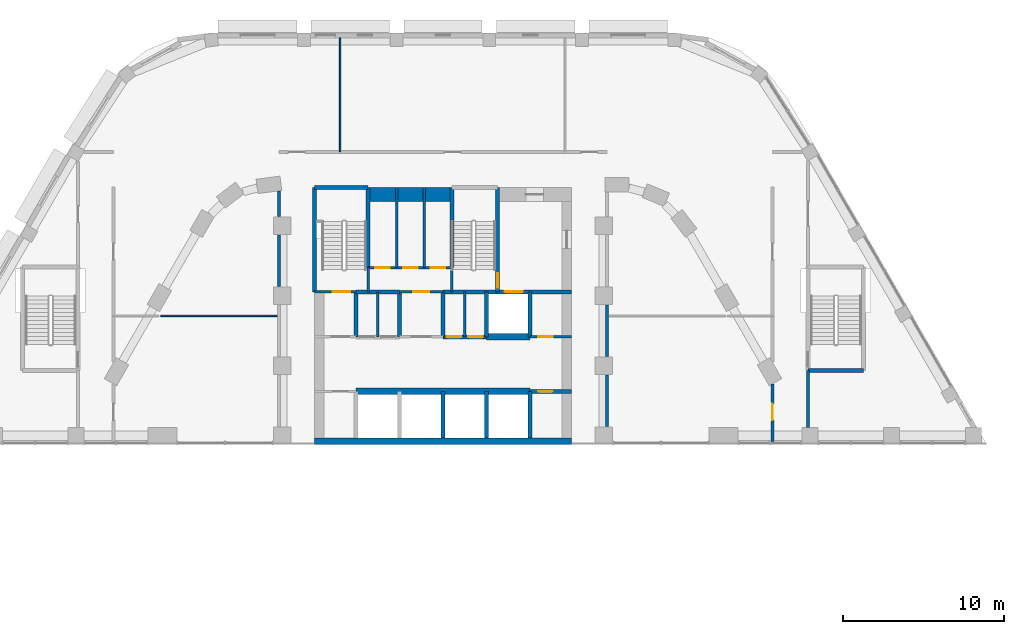
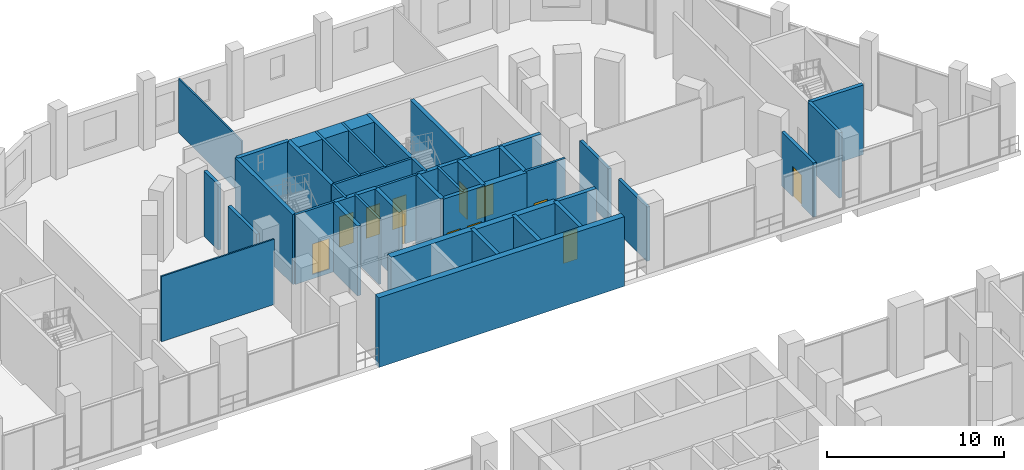
# One storey, part 19 of 45: 40 walls, 12 doors, 12 openings.
"""IFC4 building model written with IfcOpenShell, lengths in metres."""

from ifc_helpers import new_model, si_unit, direction, frame, frame_2d, origin, place, context, subcontext, project, spatial, rectangle, extrude, material, layer, layer_set, type_object, element, fill, save


model = new_model("IFC4")

# Units and contexts
model_context = context("Model", 3, precision=1e-05, world=origin(), true_north=direction((0.0, 1.0)))
body_context = subcontext(model_context, "Body", "Model", "MODEL_VIEW")
ifc_project = project(units=[si_unit("LENGTHUNIT", "METRE"), si_unit("AREAUNIT", "SQUARE_METRE"), si_unit("VOLUMEUNIT", "CUBIC_METRE"), si_unit("PLANEANGLEUNIT", "RADIAN"), si_unit("MASSUNIT", "GRAM", prefix="KILO")], contexts=[model_context])

# Site, building, storey
site_placement = place(None, origin())
site = spatial("IfcSite", under=ifc_project, at=site_placement, CompositionType="ELEMENT")
building_placement = place(site_placement, origin())
building = spatial("IfcBuilding", under=site, at=building_placement, Name="Nakaniwa Court", CompositionType="ELEMENT")
storey_placement = place(building_placement, frame((0.0, 0.0, 6.60009765625)))
storey = spatial("IfcBuildingStorey", under=building, at=storey_placement, Name="L01", CompositionType="ELEMENT", Elevation=6.60009765625)

# Wall
ifc_material_1 = material(Name="Acoustic double stud partition")
ifc_layer_1 = layer(ifc_material_1, 0.199951171875)
ifc_layer_set_1 = layer_set([ifc_layer_1], Name="Acoustic double stud partition")
wall_type_1 = type_object("IfcWallType", Name="Acoustic double stud partition 200", PredefinedType="PARTITIONING", material=ifc_layer_set_1)
wall_1_placement = place(storey_placement, frame((102.699951171875, 88.467041015625, 0.0), z_axis=(0.0, 0.0, 1.0), x_axis=(0.0, 1.0, 0.0)))
element("IfcWall", 1, at=wall_1_placement, inside=storey, type_object=wall_type_1, Name="Partition PW-085", PredefinedType="PARTITIONING", context=body_context, shape_type="SweptSolid", body=[
    extrude(rectangle(XDim=3.535888671875, YDim=0.199951171875, at=frame_2d((1.76806640625, 0.0))), origin(), (0.0, 0.0, 1.0), 4.5),
])

# Wall, opening, door
wall_2_placement = place(storey_placement, frame((100.5, 87.580078125, 0.0), z_axis=(0.0, 0.0, 1.0), x_axis=(0.0, 1.0, 0.0)))
wall_2 = element("IfcWall", 2, at=wall_2_placement, inside=storey, type_object=wall_type_1, Name="Partition PW-089", PredefinedType="PARTITIONING", context=body_context, shape_type="SweptSolid", body=[
    extrude(rectangle(XDim=3.569091796875, YDim=0.199951171875, at=frame_2d((1.78466796875, 0.0))), origin(), (0.0, 0.0, 1.0), 3.72998046875),
])
opening_1_placement = place(wall_2_placement, frame((1.343017578125, 0.0, 0.0)))
opening_1 = element("IfcOpeningElement", 3, at=opening_1_placement, cuts=wall_2, Name="Opening D-02-02", PredefinedType="OPENING", context=body_context, shape_type="SweptSolid", body=[
    extrude(rectangle(XDim=1.0, YDim=2.10009765625, at=frame_2d((0.5, 1.050048828125))), frame((0.0, 0.10986328125, 0.0), z_axis=(0.0, -1.0, 0.0), x_axis=(1.0, 0.0, 0.0)), (0.0, 0.0, 1.0), 0.219970703125),
])
ifc_material_2 = material(Name="Solid core timber door set, black veneer", Category="wood")
door_type_1 = type_object("IfcDoorType", Name="Internal door 1000", OperationType="NOTDEFINED", PredefinedType="DOOR", material=ifc_material_2)
door_1_placement = place(opening_1_placement, origin())
door_1 = element("IfcDoor", 4, at=door_1_placement, inside=storey, type_object=door_type_1, Name="Door D-02-02 L01-035", OperationType="SINGLE_SWING_RIGHT", OverallHeight=2.10009765625, OverallWidth=1.0, PredefinedType="DOOR", context=body_context, shape_type="SweptSolid", body=[
    extrude(rectangle(XDim=1.0, YDim=2.10009765625, at=frame_2d((0.5, 1.050048828125))), frame((0.0, 0.02490234375, 0.0), z_axis=(0.0, -1.0, 0.0), x_axis=(1.0, 0.0, 0.0)), (0.0, 0.0, 1.0), 0.050048828125),
])
fill(opening_1, door_1)

# Walls
wall_3_placement = place(storey_placement, frame((90.199951171875, 88.51708984375, 0.0), z_axis=(0.0, 0.0, 1.0), x_axis=(0.0, 1.0, 0.0)))
element("IfcWall", 5, at=wall_3_placement, inside=storey, type_object=wall_type_1, Name="Partition PW-108", PredefinedType="PARTITIONING", context=body_context, shape_type="SweptSolid", body=[
    extrude(rectangle(XDim=3.2158203125, YDim=0.199951171875, at=frame_2d((1.60791015625, 0.0))), origin(), (0.0, 0.0, 1.0), 3.72998046875),
])
for number, where, z_axis, x_axis, name in (
    (6, (90.199951171875, 92.866943359375, 0.0), (0.0, 0.0, 1.0), (0.0, 1.0, 0.0), "Partition PW-109"),
    (7, (69.800048828125, 97.217041015625, 0.0), (0.0, 0.0, 1.0), (0.0, 1.0, 0.0), "Partition PW-118"),
):
    element("IfcWall", number, at=place(storey_placement, frame(where, z_axis=z_axis, x_axis=x_axis)), inside=storey, type_object=wall_type_1, Name=name, PredefinedType="PARTITIONING", context=body_context, shape_type="SweptSolid", body=[
        extrude(rectangle(XDim=3.216064453125, YDim=0.199951171875, at=frame_2d((1.60791015625, 0.0))), origin(), (0.0, 0.0, 1.0), 3.72998046875),
    ])
wall_4_placement = place(storey_placement, frame((69.800048828125, 101.56689453125, 0.0), z_axis=(0.0, 0.0, 1.0), x_axis=(0.0, 1.0, 0.0)))
element("IfcWall", 8, at=wall_4_placement, inside=storey, type_object=wall_type_1, Name="Partition PW-119", PredefinedType="PARTITIONING", context=body_context, shape_type="SweptSolid", body=[
    extrude(rectangle(XDim=1.59423828125, YDim=0.199951171875, at=frame_2d((0.797119140625, 0.0))), origin(), (0.0, 0.0, 1.0), 4.5),
])

# Wall, opening, door
ifc_material_3 = material(Name="Blockwork partition", Category="masonry")
ifc_layer_2 = layer(ifc_material_3, 0.14990234375)
ifc_layer_set_2 = layer_set([ifc_layer_2], Name="Blockwork partition")
wall_type_2 = type_object("IfcWallType", Name="Blockwork partition 150", PredefinedType="PARTITIONING", material=ifc_layer_set_2)
wall_5_placement = place(storey_placement, frame((85.39697265625, 94.10009765625, 0.0), z_axis=(0.0, 0.0, 1.0), x_axis=(1.0, 0.0, 0.0)))
wall_5 = element("IfcWall", 9, at=wall_5_placement, inside=storey, type_object=wall_type_2, Name="Partition PW-018", PredefinedType="PARTITIONING", context=body_context, shape_type="SweptSolid", body=[
    extrude(rectangle(XDim=2.60302734375, YDim=0.14990234375, at=frame_2d((1.301513671875, 0.0))), origin(), (0.0, 0.0, 1.0), 4.5),
])
opening_2_placement = place(wall_5_placement, frame((0.528076171875, 0.0, 0.0)))
opening_2 = element("IfcOpeningElement", 10, at=opening_2_placement, cuts=wall_5, Name="Opening D-05-07", PredefinedType="OPENING", context=body_context, shape_type="SweptSolid", body=[
    extrude(rectangle(XDim=0.89990234375, YDim=2.10009765625, at=frame_2d((0.449951171875, 1.050048828125))), frame((0.0, 0.0849609375, 0.0), z_axis=(0.0, -1.0, 0.0), x_axis=(1.0, 0.0, 0.0)), (0.0, 0.0, 1.0), 0.169921875),
])
ifc_material_4 = material(Name="Fire rated steel door set", Category="steel")
door_type_2 = type_object("IfcDoorType", Name="Service room door 900", OperationType="NOTDEFINED", PredefinedType="DOOR", material=ifc_material_4)
door_2_placement = place(opening_2_placement, origin())
door_2 = element("IfcDoor", 11, at=door_2_placement, inside=storey, type_object=door_type_2, Name="Door D-05-07 L01-009", OperationType="SINGLE_SWING_RIGHT", OverallHeight=2.10009765625, OverallWidth=0.89990234375, PredefinedType="DOOR", context=body_context, shape_type="SweptSolid", body=[
    extrude(rectangle(XDim=0.89990234375, YDim=2.10009765625, at=frame_2d((0.449951171875, 1.050048828125))), frame((0.0, 0.02490234375, 0.0), z_axis=(0.0, -1.0, 0.0), x_axis=(1.0, 0.0, 0.0)), (0.0, 0.0, 1.0), 0.050048828125),
])
fill(opening_2, door_2)

# Wall
wall_6_placement = place(storey_placement, frame((75.949951171875, 94.10009765625, 0.0), z_axis=(0.0, 0.0, 1.0), x_axis=(0.0, 1.0, 0.0)))
element("IfcWall", 12, at=wall_6_placement, inside=storey, type_object=wall_type_2, Name="Partition PW-023", PredefinedType="PARTITIONING", context=body_context, shape_type="SweptSolid", body=[
    extrude(rectangle(XDim=2.7998046875, YDim=0.14990234375, at=frame_2d((1.39990234375, 0.0))), origin(), (0.0, 0.0, 1.0), 4.5),
])

# Wall, opening, door
wall_7_placement = place(storey_placement, frame((77.300048828125, 96.89990234375, 0.0), z_axis=(0.0, 0.0, 1.0), x_axis=(1.0, 0.0, 0.0)))
wall_7 = element("IfcWall", 13, at=wall_7_placement, inside=storey, type_object=wall_type_2, Name="Partition PW-026", PredefinedType="PARTITIONING", context=body_context, shape_type="SweptSolid", body=[
    extrude(rectangle(XDim=2.699951171875, YDim=0.14990234375, at=frame_2d((1.35009765625, 0.0))), origin(), (0.0, 0.0, 1.0), 4.5),
])
opening_3_placement = place(wall_7_placement, frame((0.85009765625, 0.0, 0.0)))
opening_3 = element("IfcOpeningElement", 14, at=opening_3_placement, cuts=wall_7, Name="Opening D-23-01", PredefinedType="OPENING", context=body_context, shape_type="SweptSolid", body=[
    extrude(rectangle(XDim=1.0, YDim=2.10009765625, at=frame_2d((0.5, 1.050048828125))), frame((0.0, 0.0849609375, 0.0), z_axis=(0.0, -1.0, 0.0), x_axis=(1.0, 0.0, 0.0)), (0.0, 0.0, 1.0), 0.169921875),
])
door_type_3 = type_object("IfcDoorType", Name="Service room door 1000", OperationType="NOTDEFINED", PredefinedType="DOOR", material=ifc_material_4)
door_3_placement = place(opening_3_placement, origin())
door_3 = element("IfcDoor", 15, at=door_3_placement, inside=storey, type_object=door_type_3, Name="Door D-23-01 L01-010", OperationType="SINGLE_SWING_LEFT", OverallHeight=2.10009765625, OverallWidth=1.0, PredefinedType="DOOR", context=body_context, shape_type="SweptSolid", body=[
    extrude(rectangle(XDim=1.0, YDim=2.10009765625, at=frame_2d((0.5, 1.050048828125))), frame((0.0, 0.02490234375, 0.0), z_axis=(0.0, -1.0, 0.0), x_axis=(1.0, 0.0, 0.0)), (0.0, 0.0, 1.0), 0.050048828125),
])
fill(opening_3, door_3)

# Wall
wall_8_placement = place(storey_placement, frame((81.35009765625, 94.10009765625, 0.0), z_axis=(0.0, 0.0, 1.0), x_axis=(0.0, 1.0, 0.0)))
element("IfcWall", 16, at=wall_8_placement, inside=storey, type_object=wall_type_2, Name="Partition PW-027", PredefinedType="PARTITIONING", context=body_context, shape_type="SweptSolid", body=[
    extrude(rectangle(XDim=2.7998046875, YDim=0.14990234375, at=frame_2d((1.39990234375, 0.0))), origin(), (0.0, 0.0, 1.0), 4.5),
])

# Wall, openings, doors
wall_9_placement = place(storey_placement, frame((75.35009765625, 98.39990234375, 0.0), z_axis=(0.0, 0.0, 1.0), x_axis=(1.0, 0.0, 0.0)))
wall_9 = element("IfcWall", 17, at=wall_9_placement, inside=storey, type_object=wall_type_2, Name="Partition PW-038", PredefinedType="PARTITIONING", context=body_context, shape_type="SweptSolid", body=[
    extrude(rectangle(XDim=5.199951171875, YDim=0.14990234375, at=frame_2d((2.60009765625, 0.0))), origin(), (0.0, 0.0, 1.0), 4.5),
])
opening_4_placement = place(wall_9_placement, frame((0.43408203125, 0.0, 0.0)))
opening_4 = element("IfcOpeningElement", 18, at=opening_4_placement, cuts=wall_9, Name="Opening D-05-08", PredefinedType="OPENING", context=body_context, shape_type="SweptSolid", body=[
    extrude(rectangle(XDim=0.89990234375, YDim=2.10009765625, at=frame_2d((0.449951171875, 1.050048828125))), frame((0.0, 0.0849609375, 0.0), z_axis=(0.0, -1.0, 0.0), x_axis=(1.0, 0.0, 0.0)), (0.0, 0.0, 1.0), 0.169921875),
])
opening_5_placement = place(wall_9_placement, frame((2.176025390625, 0.0, 0.0)))
opening_5 = element("IfcOpeningElement", 19, at=opening_5_placement, cuts=wall_9, Name="Opening D-05-09", PredefinedType="OPENING", context=body_context, shape_type="SweptSolid", body=[
    extrude(rectangle(XDim=0.89990234375, YDim=2.10009765625, at=frame_2d((0.449951171875, 1.050048828125))), frame((0.0, 0.0849609375, 0.0), z_axis=(0.0, -1.0, 0.0), x_axis=(1.0, 0.0, 0.0)), (0.0, 0.0, 1.0), 0.169921875),
])
opening_6_placement = place(wall_9_placement, frame((3.89208984375, 0.0, 0.0)))
opening_6 = element("IfcOpeningElement", 20, at=opening_6_placement, cuts=wall_9, Name="Opening D-05-10", PredefinedType="OPENING", context=body_context, shape_type="SweptSolid", body=[
    extrude(rectangle(XDim=0.89990234375, YDim=2.10009765625, at=frame_2d((0.449951171875, 1.050048828125))), frame((0.0, 0.0849609375, 0.0), z_axis=(0.0, -1.0, 0.0), x_axis=(1.0, 0.0, 0.0)), (0.0, 0.0, 1.0), 0.169921875),
])
door_4_placement = place(opening_4_placement, origin())
door_4 = element("IfcDoor", 21, at=door_4_placement, inside=storey, type_object=door_type_2, Name="Door D-05-08 L01-011", OperationType="SINGLE_SWING_RIGHT", OverallHeight=2.10009765625, OverallWidth=0.89990234375, PredefinedType="DOOR", context=body_context, shape_type="SweptSolid", body=[
    extrude(rectangle(XDim=0.89990234375, YDim=2.10009765625, at=frame_2d((0.449951171875, 1.050048828125))), frame((0.0, 0.02490234375, 0.0), z_axis=(0.0, -1.0, 0.0), x_axis=(1.0, 0.0, 0.0)), (0.0, 0.0, 1.0), 0.050048828125),
])
fill(opening_4, door_4)
door_5_placement = place(opening_5_placement, origin())
door_5 = element("IfcDoor", 22, at=door_5_placement, inside=storey, type_object=door_type_2, Name="Door D-05-09 L01-012", OperationType="SINGLE_SWING_LEFT", OverallHeight=2.10009765625, OverallWidth=0.89990234375, PredefinedType="DOOR", context=body_context, shape_type="SweptSolid", body=[
    extrude(rectangle(XDim=0.89990234375, YDim=2.10009765625, at=frame_2d((0.449951171875, 1.050048828125))), frame((0.0, 0.02490234375, 0.0), z_axis=(0.0, -1.0, 0.0), x_axis=(1.0, 0.0, 0.0)), (0.0, 0.0, 1.0), 0.050048828125),
])
fill(opening_5, door_5)
door_6_placement = place(opening_6_placement, origin())
door_6 = element("IfcDoor", 23, at=door_6_placement, inside=storey, type_object=door_type_2, Name="Door D-05-10 L01-013", OperationType="SINGLE_SWING_RIGHT", OverallHeight=2.10009765625, OverallWidth=0.89990234375, PredefinedType="DOOR", context=body_context, shape_type="SweptSolid", body=[
    extrude(rectangle(XDim=0.89990234375, YDim=2.10009765625, at=frame_2d((0.449951171875, 1.050048828125))), frame((0.0, 0.02490234375, 0.0), z_axis=(0.0, -1.0, 0.0), x_axis=(1.0, 0.0, 0.0)), (0.0, 0.0, 1.0), 0.050048828125),
])
fill(opening_6, door_6)

# Walls
for number, where, z_axis, x_axis, name in (
    (24, (77.117919921875, 98.39990234375, 0.0), (0.0, 0.0, 1.0), (0.0, 1.0, 0.0), "Partition PW-039"),
    (25, (78.833984375, 98.39990234375, 0.0), (0.0, 0.0, 1.0), (0.0, 1.0, 0.0), "Partition PW-040"),
):
    element("IfcWall", number, at=place(storey_placement, frame(where, z_axis=z_axis, x_axis=x_axis)), inside=storey, type_object=wall_type_2, Name=name, PredefinedType="PARTITIONING", context=body_context, shape_type="SweptSolid", body=[
        extrude(rectangle(XDim=5.0, YDim=0.14990234375, at=frame_2d((2.5, 0.0))), origin(), (0.0, 0.0, 1.0), 4.5),
    ])
ifc_material_5 = material(Name="Concrete C100/115", Category="concrete")
ifc_layer_3 = layer(ifc_material_5, 0.39990234375)
ifc_layer_set_3 = layer_set([ifc_layer_3], Name="Concrete C100/115")
wall_type_3 = type_object("IfcWallType", Name="Concrete core spine wall 400 C100", PredefinedType="SHEAR", material=ifc_layer_set_3)
wall_10_placement = place(storey_placement, frame((74.60009765625, 90.699951171875, -0.300048828125), z_axis=(0.0, 0.0, 1.0), x_axis=(1.0, 0.0, 0.0)))
element("IfcWall", 26, at=wall_10_placement, inside=storey, type_object=wall_type_3, Name="Core wall SW-07", PredefinedType="SHEAR", context=body_context, shape_type="SweptSolid", body=[
    extrude(rectangle(XDim=10.7998046875, YDim=0.39990234375, at=frame_2d((5.39990234375, 0.0))), origin(), (0.0, 0.0, 1.0), 4.800048828125),
])
wall_11_placement = place(storey_placement, frame((82.697021484375, 94.10009765625, -0.300048828125), z_axis=(0.0, 0.0, 1.0), x_axis=(1.0, 0.0, 0.0)))
element("IfcWall", 27, at=wall_11_placement, inside=storey, type_object=wall_type_3, Name="Core wall SW-21", PredefinedType="SHEAR", context=body_context, shape_type="SweptSolid", body=[
    extrude(rectangle(XDim=2.7060546875, YDim=0.39990234375, at=frame_2d((1.35302734375, 0.0))), origin(), (0.0, 0.0, 1.0), 4.800048828125),
])

# Wall, opening, door
ifc_layer_4 = layer(ifc_material_5, 0.14990234375)
ifc_layer_set_4 = layer_set([ifc_layer_4], Name="Concrete C100/115")
wall_type_4 = type_object("IfcWallType", Name="Concrete core wall 150 C100", PredefinedType="SHEAR", material=ifc_layer_set_4)
wall_12_placement = place(storey_placement, frame((74.60009765625, 96.89990234375, -0.300048828125), z_axis=(0.0, 0.0, 1.0), x_axis=(-1.0, 0.0, 0.0)))
wall_12 = element("IfcWall", 28, at=wall_12_placement, inside=storey, type_object=wall_type_4, Name="Core wall SW-22", PredefinedType="SHEAR", context=body_context, shape_type="SweptSolid", body=[
    extrude(rectangle(XDim=2.60009765625, YDim=0.14990234375, at=frame_2d((1.300048828125, 0.0))), origin(), (0.0, 0.0, 1.0), 4.800048828125),
])
opening_7_placement = place(wall_12_placement, frame((0.3701171875, 0.0, 0.300048828125)))
opening_7 = element("IfcOpeningElement", 29, at=opening_7_placement, cuts=wall_12, Name="Opening D-09-01", PredefinedType="OPENING", context=body_context, shape_type="SweptSolid", body=[
    extrude(rectangle(XDim=1.10009765625, YDim=2.10009765625, at=frame_2d((0.550048828125, 1.050048828125))), frame((0.0, 0.0849609375, 0.0), z_axis=(0.0, -1.0, 0.0), x_axis=(1.0, 0.0, 0.0)), (0.0, 0.0, 1.0), 0.169921875),
])
door_type_4 = type_object("IfcDoorType", Name="Stair door 1100", OperationType="NOTDEFINED", PredefinedType="DOOR", material=ifc_material_4)
door_7_placement = place(opening_7_placement, origin())
door_7 = element("IfcDoor", 30, at=door_7_placement, inside=storey, type_object=door_type_4, Name="Door D-09-01 L01-014", OperationType="SINGLE_SWING_RIGHT", OverallHeight=2.10009765625, OverallWidth=1.10009765625, PredefinedType="DOOR", context=body_context, shape_type="SweptSolid", body=[
    extrude(rectangle(XDim=1.10009765625, YDim=2.10009765625, at=frame_2d((0.550048828125, 1.050048828125))), frame((0.0, 0.02490234375, 0.0), z_axis=(0.0, -1.0, 0.0), x_axis=(1.0, 0.0, 0.0)), (0.0, 0.0, 1.0), 0.050048828125),
])
fill(opening_7, door_7)

# Walls
for number, where, z_axis, x_axis, name in (
    (31, (75.35009765625, 96.89990234375, -0.300048828125), (0.0, 0.0, 1.0), (0.0, 1.0, 0.0), "Core wall SW-28"),
    (32, (80.550048828125, 96.89990234375, -0.300048828125), (0.0, 0.0, 1.0), (0.0, 1.0, 0.0), "Core wall SW-34"),
):
    element("IfcWall", number, at=place(storey_placement, frame(where, z_axis=z_axis, x_axis=x_axis)), inside=storey, type_object=wall_type_4, Name=name, PredefinedType="SHEAR", context=body_context, shape_type="SweptSolid", body=[
        extrude(rectangle(XDim=1.503173828125, YDim=0.14990234375, at=frame_2d((0.75146484375, 0.0))), origin(), (0.0, 0.0, 1.0), 4.800048828125),
    ])
ifc_layer_5 = layer(ifc_material_5, 0.25)
ifc_layer_set_5 = layer_set([ifc_layer_5], Name="Concrete C100/115")
wall_type_5 = type_object("IfcWallType", Name="Concrete core wall 250 C100", PredefinedType="SHEAR", material=ifc_layer_set_5)
wall_13_placement = place(storey_placement, frame((72.0, 96.89990234375, -0.300048828125), z_axis=(0.0, 0.0, 1.0), x_axis=(0.0, 1.0, 0.0)))
element("IfcWall", 33, at=wall_13_placement, inside=storey, type_object=wall_type_5, Name="Core wall SW-30", PredefinedType="SHEAR", context=body_context, shape_type="SweptSolid", body=[
    extrude(rectangle(XDim=6.5, YDim=0.25, at=frame_2d((3.25, 0.0))), origin(), (0.0, 0.0, 1.0), 4.800048828125),
])
wall_14_placement = place(storey_placement, frame((72.0, 103.39990234375, -0.300048828125), z_axis=(0.0, 0.0, 1.0), x_axis=(1.0, 0.0, 0.0)))
element("IfcWall", 34, at=wall_14_placement, inside=storey, type_object=wall_type_5, Name="Core wall SW-31", PredefinedType="SHEAR", context=body_context, shape_type="SweptSolid", body=[
    extrude(rectangle(XDim=3.35009765625, YDim=0.25, at=frame_2d((1.675048828125, 0.0))), origin(), (0.0, 0.0, 1.0), 4.800048828125),
])
wall_15_placement = place(storey_placement, frame((102.699951171875, 92.0, -0.300048828125), z_axis=(0.0, 0.0, 1.0), x_axis=(1.0, 0.0, 0.0)))
element("IfcWall", 35, at=wall_15_placement, inside=storey, type_object=wall_type_5, Name="Core wall SW-125", PredefinedType="SHEAR", context=body_context, shape_type="SweptSolid", body=[
    extrude(rectangle(XDim=3.449951171875, YDim=0.25, at=frame_2d((1.72509765625, 0.0))), origin(), (0.0, 0.0, 1.0), 4.800048828125),
])
ifc_layer_6 = layer(ifc_material_5, 0.89990234375)
ifc_layer_set_6 = layer_set([ifc_layer_6], Name="Concrete C100/115")
wall_type_6 = type_object("IfcWallType", Name="Concrete core wall 900 C100", PredefinedType="SHEAR", material=ifc_layer_set_6)
wall_16_placement = place(storey_placement, frame((75.35009765625, 102.949951171875, -0.300048828125), z_axis=(0.0, 0.0, 1.0), x_axis=(1.0, 0.0, 0.0)))
element("IfcWall", 36, at=wall_16_placement, inside=storey, type_object=wall_type_6, Name="Core wall SW-36", PredefinedType="SHEAR", context=body_context, shape_type="SweptSolid", body=[
    extrude(rectangle(XDim=5.199951171875, YDim=0.89990234375, at=frame_2d((2.60009765625, 0.0))), origin(), (0.0, 0.0, 1.0), 4.800048828125),
])
ifc_layer_7 = layer(ifc_material_5, 0.39990234375)
ifc_layer_set_7 = layer_set([ifc_layer_7], Name="Concrete C100/115")
wall_type_7 = type_object("IfcWallType", Name="Concrete core well wall 400 C100", PredefinedType="SHEAR", material=ifc_layer_set_7)
wall_17_placement = place(storey_placement, frame((72.00390625, 87.60009765625, -0.300048828125), z_axis=(0.0, 0.0, 1.0), x_axis=(1.0, 0.0, 0.0)))
element("IfcWall", 37, at=wall_17_placement, inside=storey, type_object=wall_type_7, Name="Core wall SW-154", PredefinedType="SHEAR", context=body_context, shape_type="SweptSolid", body=[
    extrude(rectangle(XDim=15.9921875, YDim=0.39990234375, at=frame_2d((7.99609375, 0.0))), origin(), (0.0, 0.0, 1.0), 4.800048828125),
])
ifc_layer_8 = layer(ifc_material_5, 0.25)
ifc_layer_set_8 = layer_set([ifc_layer_8], Name="Concrete C100/115")
wall_type_8 = type_object("IfcWallType", Name="Concrete shaft wall 250 C100", PredefinedType="SHEAR", material=ifc_layer_set_8)
for number, where, z_axis, x_axis, name in (
    (38, (74.60009765625, 94.10009765625, -0.300048828125), (0.0, 0.0, 1.0), (0.0, 1.0, 0.0), "Core wall SW-02"),
    (39, (77.300048828125, 94.10009765625, -0.300048828125), (0.0, 0.0, 1.0), (0.0, 1.0, 0.0), "Core wall SW-06"),
):
    element("IfcWall", number, at=place(storey_placement, frame(where, z_axis=z_axis, x_axis=x_axis)), inside=storey, type_object=wall_type_8, Name=name, PredefinedType="SHEAR", context=body_context, shape_type="SweptSolid", body=[
        extrude(rectangle(XDim=2.7998046875, YDim=0.25, at=frame_2d((1.39990234375, 0.0))), origin(), (0.0, 0.0, 1.0), 4.800048828125),
    ])
wall_18_placement = place(storey_placement, frame((80.0, 87.800048828125, -0.300048828125), z_axis=(0.0, 0.0, 1.0), x_axis=(0.0, 1.0, 0.0)))
element("IfcWall", 40, at=wall_18_placement, inside=storey, type_object=wall_type_8, Name="Core wall SW-08", PredefinedType="SHEAR", context=body_context, shape_type="SweptSolid", body=[
    extrude(rectangle(XDim=2.89990234375, YDim=0.25, at=frame_2d((1.449951171875, 0.0))), origin(), (0.0, 0.0, 1.0), 4.800048828125),
])
wall_19_placement = place(storey_placement, frame((80.0, 94.10009765625, -0.300048828125), z_axis=(0.0, 0.0, 1.0), x_axis=(0.0, 1.0, 0.0)))
element("IfcWall", 41, at=wall_19_placement, inside=storey, type_object=wall_type_8, Name="Core wall SW-09", PredefinedType="SHEAR", context=body_context, shape_type="SweptSolid", body=[
    extrude(rectangle(XDim=2.7998046875, YDim=0.25, at=frame_2d((1.39990234375, 0.0))), origin(), (0.0, 0.0, 1.0), 4.800048828125),
])
wall_20_placement = place(storey_placement, frame((82.699951171875, 87.800048828125, -0.300048828125), z_axis=(0.0, 0.0, 1.0), x_axis=(0.0, 1.0, 0.0)))
element("IfcWall", 42, at=wall_20_placement, inside=storey, type_object=wall_type_8, Name="Core wall SW-10", PredefinedType="SHEAR", context=body_context, shape_type="SweptSolid", body=[
    extrude(rectangle(XDim=2.89990234375, YDim=0.25, at=frame_2d((1.449951171875, 0.0))), origin(), (0.0, 0.0, 1.0), 4.800048828125),
])
wall_21_placement = place(storey_placement, frame((82.699951171875, 94.10009765625, -0.300048828125), z_axis=(0.0, 0.0, 1.0), x_axis=(0.0, 1.0, 0.0)))
element("IfcWall", 43, at=wall_21_placement, inside=storey, type_object=wall_type_8, Name="Core wall SW-11", PredefinedType="SHEAR", context=body_context, shape_type="SweptSolid", body=[
    extrude(rectangle(XDim=2.7998046875, YDim=0.25, at=frame_2d((1.39990234375, 0.0))), origin(), (0.0, 0.0, 1.0), 4.800048828125),
])
wall_22_placement = place(storey_placement, frame((85.39990234375, 87.800048828125, -0.300048828125), z_axis=(0.0, 0.0, 1.0), x_axis=(0.0, 1.0, 0.0)))
element("IfcWall", 44, at=wall_22_placement, inside=storey, type_object=wall_type_8, Name="Core wall SW-12", PredefinedType="SHEAR", context=body_context, shape_type="SweptSolid", body=[
    extrude(rectangle(XDim=2.89990234375, YDim=0.25, at=frame_2d((1.449951171875, 0.0))), origin(), (0.0, 0.0, 1.0), 4.800048828125),
])
wall_23_placement = place(storey_placement, frame((85.39990234375, 94.10009765625, -0.300048828125), z_axis=(0.0, 0.0, 1.0), x_axis=(0.0, 1.0, 0.0)))
element("IfcWall", 45, at=wall_23_placement, inside=storey, type_object=wall_type_8, Name="Core wall SW-13", PredefinedType="SHEAR", context=body_context, shape_type="SweptSolid", body=[
    extrude(rectangle(XDim=2.7998046875, YDim=0.25, at=frame_2d((1.39990234375, 0.0))), origin(), (0.0, 0.0, 1.0), 4.800048828125),
])

# Wall, opening, door
wall_24_placement = place(storey_placement, frame((88.0, 90.699951171875, -0.300048828125), z_axis=(0.0, 0.0, 1.0), x_axis=(-1.0, 0.0, 0.0)))
wall_24 = element("IfcWall", 46, at=wall_24_placement, inside=storey, type_object=wall_type_8, Name="Core wall SW-14", PredefinedType="SHEAR", context=body_context, shape_type="SweptSolid", body=[
    extrude(rectangle(XDim=2.60009765625, YDim=0.25, at=frame_2d((1.300048828125, 0.0))), origin(), (0.0, 0.0, 1.0), 4.800048828125),
])
opening_8_placement = place(wall_24_placement, frame((1.175048828125, 0.0, 0.300048828125)))
opening_8 = element("IfcOpeningElement", 47, at=opening_8_placement, cuts=wall_24, Name="Opening D-05-02", PredefinedType="OPENING", context=body_context, shape_type="SweptSolid", body=[
    extrude(rectangle(XDim=0.89990234375, YDim=2.10009765625, at=frame_2d((0.449951171875, 1.050048828125))), frame((0.0, 0.135009765625, 0.0), z_axis=(0.0, -1.0, 0.0), x_axis=(1.0, 0.0, 0.0)), (0.0, 0.0, 1.0), 0.27001953125),
])
door_8_placement = place(opening_8_placement, origin())
door_8 = element("IfcDoor", 48, at=door_8_placement, inside=storey, type_object=door_type_2, Name="Door D-05-02 L01-002", OperationType="SINGLE_SWING_LEFT", OverallHeight=2.10009765625, OverallWidth=0.89990234375, PredefinedType="DOOR", context=body_context, shape_type="SweptSolid", body=[
    extrude(rectangle(XDim=0.89990234375, YDim=2.10009765625, at=frame_2d((0.449951171875, 1.050048828125))), frame((0.0, 0.02490234375, 0.0), z_axis=(0.0, -1.0, 0.0), x_axis=(1.0, 0.0, 0.0)), (0.0, 0.0, 1.0), 0.050048828125),
])
fill(opening_8, door_8)

# Wall, openings, doors
wall_25_placement = place(storey_placement, frame((79.9970703125, 94.10009765625, -0.300048828125), z_axis=(0.0, 0.0, 1.0), x_axis=(1.0, 0.0, 0.0)))
wall_25 = element("IfcWall", 49, at=wall_25_placement, inside=storey, type_object=wall_type_8, Name="Core wall SW-20", PredefinedType="SHEAR", context=body_context, shape_type="SweptSolid", body=[
    extrude(rectangle(XDim=2.705810546875, YDim=0.25, at=frame_2d((1.35302734375, 0.0))), origin(), (0.0, 0.0, 1.0), 4.800048828125),
])
opening_9_placement = place(wall_25_placement, frame((0.22802734375, 0.0, 0.300048828125)))
opening_9 = element("IfcOpeningElement", 50, at=opening_9_placement, cuts=wall_25, Name="Opening D-05-05", PredefinedType="OPENING", context=body_context, shape_type="SweptSolid", body=[
    extrude(rectangle(XDim=0.89990234375, YDim=2.10009765625, at=frame_2d((0.449951171875, 1.050048828125))), frame((0.0, 0.135009765625, 0.0), z_axis=(0.0, -1.0, 0.0), x_axis=(1.0, 0.0, 0.0)), (0.0, 0.0, 1.0), 0.27001953125),
])
opening_10_placement = place(wall_25_placement, frame((1.577880859375, 0.0, 0.300048828125)))
opening_10 = element("IfcOpeningElement", 51, at=opening_10_placement, cuts=wall_25, Name="Opening D-05-06", PredefinedType="OPENING", context=body_context, shape_type="SweptSolid", body=[
    extrude(rectangle(XDim=0.89990234375, YDim=2.10009765625, at=frame_2d((0.449951171875, 1.050048828125))), frame((0.0, 0.135009765625, 0.0), z_axis=(0.0, -1.0, 0.0), x_axis=(1.0, 0.0, 0.0)), (0.0, 0.0, 1.0), 0.27001953125),
])
door_9_placement = place(opening_9_placement, origin())
door_9 = element("IfcDoor", 52, at=door_9_placement, inside=storey, type_object=door_type_2, Name="Door D-05-05 L01-007", OperationType="SINGLE_SWING_RIGHT", OverallHeight=2.10009765625, OverallWidth=0.89990234375, PredefinedType="DOOR", context=body_context, shape_type="SweptSolid", body=[
    extrude(rectangle(XDim=0.89990234375, YDim=2.10009765625, at=frame_2d((0.449951171875, 1.050048828125))), frame((0.0, 0.02490234375, 0.0), z_axis=(0.0, -1.0, 0.0), x_axis=(1.0, 0.0, 0.0)), (0.0, 0.0, 1.0), 0.050048828125),
])
fill(opening_9, door_9)
door_10_placement = place(opening_10_placement, origin())
door_10 = element("IfcDoor", 53, at=door_10_placement, inside=storey, type_object=door_type_2, Name="Door D-05-06 L01-008", OperationType="SINGLE_SWING_LEFT", OverallHeight=2.10009765625, OverallWidth=0.89990234375, PredefinedType="DOOR", context=body_context, shape_type="SweptSolid", body=[
    extrude(rectangle(XDim=0.89990234375, YDim=2.10009765625, at=frame_2d((0.449951171875, 1.050048828125))), frame((0.0, 0.02490234375, 0.0), z_axis=(0.0, -1.0, 0.0), x_axis=(1.0, 0.0, 0.0)), (0.0, 0.0, 1.0), 0.050048828125),
])
fill(opening_10, door_10)

# Wall
wall_26_placement = place(storey_placement, frame((74.60009765625, 96.89990234375, -0.300048828125), z_axis=(0.0, 0.0, 1.0), x_axis=(1.0, 0.0, 0.0)))
element("IfcWall", 54, at=wall_26_placement, inside=storey, type_object=wall_type_8, Name="Core wall SW-24", PredefinedType="SHEAR", context=body_context, shape_type="SweptSolid", body=[
    extrude(rectangle(XDim=2.699951171875, YDim=0.25, at=frame_2d((1.35009765625, 0.0))), origin(), (0.0, 0.0, 1.0), 4.800048828125),
])

# Wall, opening, door
wall_27_placement = place(storey_placement, frame((80.0, 96.89990234375, -0.300048828125), z_axis=(0.0, 0.0, 1.0), x_axis=(1.0, 0.0, 0.0)))
wall_27 = element("IfcWall", 55, at=wall_27_placement, inside=storey, type_object=wall_type_8, Name="Core wall SW-25", PredefinedType="SHEAR", context=body_context, shape_type="SweptSolid", body=[
    extrude(rectangle(XDim=8.0, YDim=0.25, at=frame_2d((4.0, 0.0))), origin(), (0.0, 0.0, 1.0), 4.800048828125),
])
opening_11_placement = place(wall_27_placement, frame((3.84912109375, 0.0, 0.300048828125)))
opening_11 = element("IfcOpeningElement", 56, at=opening_11_placement, cuts=wall_27, Name="Opening LD01", PredefinedType="OPENING", context=body_context, shape_type="SweptSolid", body=[
    extrude(rectangle(XDim=1.10009765625, YDim=2.10009765625, at=frame_2d((0.550048828125, 1.050048828125))), frame((0.0, 0.135009765625, 0.0), z_axis=(0.0, -1.0, 0.0), x_axis=(1.0, 0.0, 0.0)), (0.0, 0.0, 1.0), 0.27001953125),
])
ifc_material_6 = material(Name="Stainless steel sliding lift landing door", Category="steel")
door_type_5 = type_object("IfcDoorType", Name="Lift landing door 1100", OperationType="NOTDEFINED", PredefinedType="DOOR", material=ifc_material_6)
door_11_placement = place(opening_11_placement, origin())
door_11 = element("IfcDoor", 57, at=door_11_placement, inside=storey, type_object=door_type_5, Name="Lift landing door LD01 L01-001", OperationType="SLIDING_TO_LEFT", OverallHeight=2.10009765625, OverallWidth=1.10009765625, PredefinedType="DOOR", context=body_context, shape_type="SweptSolid", body=[
    extrude(rectangle(XDim=1.10009765625, YDim=2.10009765625, at=frame_2d((0.550048828125, 1.050048828125))), frame((0.0, 0.02490234375, 0.0), z_axis=(0.0, -1.0, 0.0), x_axis=(1.0, 0.0, 0.0)), (0.0, 0.0, 1.0), 0.050048828125),
])
fill(opening_11, door_11)

# Wall
wall_28_placement = place(storey_placement, frame((75.35009765625, 98.39697265625, -0.300048828125), z_axis=(0.0, 0.0, 1.0), x_axis=(0.0, 1.0, 0.0)))
element("IfcWall", 58, at=wall_28_placement, inside=storey, type_object=wall_type_8, Name="Core wall SW-29", PredefinedType="SHEAR", context=body_context, shape_type="SweptSolid", body=[
    extrude(rectangle(XDim=5.0029296875, YDim=0.25, at=frame_2d((2.50146484375, 0.0))), origin(), (0.0, 0.0, 1.0), 4.800048828125),
])

# Wall, opening, door
wall_29_placement = place(storey_placement, frame((83.39990234375, 103.39990234375, -0.300048828125), z_axis=(0.0, 0.0, 1.0), x_axis=(0.0, -1.0, 0.0)))
wall_29 = element("IfcWall", 59, at=wall_29_placement, inside=storey, type_object=wall_type_8, Name="Core wall SW-33", PredefinedType="SHEAR", context=body_context, shape_type="SweptSolid", body=[
    extrude(rectangle(XDim=6.5, YDim=0.25, at=frame_2d((3.25, 0.0))), origin(), (0.0, 0.0, 1.0), 4.800048828125),
])
opening_12_placement = place(wall_29_placement, frame((5.35009765625, 0.0, 0.300048828125)))
opening_12 = element("IfcOpeningElement", 60, at=opening_12_placement, cuts=wall_29, Name="Opening D-11-01", PredefinedType="OPENING", context=body_context, shape_type="SweptSolid", body=[
    extrude(rectangle(XDim=0.89990234375, YDim=2.10009765625, at=frame_2d((0.449951171875, 1.050048828125))), frame((0.0, 0.135009765625, 0.0), z_axis=(0.0, -1.0, 0.0), x_axis=(1.0, 0.0, 0.0)), (0.0, 0.0, 1.0), 0.27001953125),
])
door_type_6 = type_object("IfcDoorType", Name="Stair door 900", OperationType="NOTDEFINED", PredefinedType="DOOR", material=ifc_material_4)
door_12_placement = place(opening_12_placement, origin())
door_12 = element("IfcDoor", 61, at=door_12_placement, inside=storey, type_object=door_type_6, Name="Door D-11-01 L01-015", OperationType="SINGLE_SWING_LEFT", OverallHeight=2.10009765625, OverallWidth=0.89990234375, PredefinedType="DOOR", context=body_context, shape_type="SweptSolid", body=[
    extrude(rectangle(XDim=0.89990234375, YDim=2.10009765625, at=frame_2d((0.449951171875, 1.050048828125))), frame((0.0, 0.02490234375, 0.0), z_axis=(0.0, -1.0, 0.0), x_axis=(1.0, 0.0, 0.0)), (0.0, 0.0, 1.0), 0.050048828125),
])
fill(opening_12, door_12)

# Walls
wall_30_placement = place(storey_placement, frame((80.550048828125, 98.39697265625, -0.300048828125), z_axis=(0.0, 0.0, 1.0), x_axis=(0.0, 1.0, 0.0)))
element("IfcWall", 62, at=wall_30_placement, inside=storey, type_object=wall_type_8, Name="Core wall SW-35", PredefinedType="SHEAR", context=body_context, shape_type="SweptSolid", body=[
    extrude(rectangle(XDim=5.0029296875, YDim=0.25, at=frame_2d((2.50146484375, 0.0))), origin(), (0.0, 0.0, 1.0), 4.800048828125),
])
ifc_material_7 = material(Name="Single stud plasterboard partition")
ifc_layer_9 = layer(ifc_material_7, 0.10009765625)
ifc_layer_set_9 = layer_set([ifc_layer_9], Name="Single stud plasterboard partition")
wall_type_9 = type_object("IfcWallType", Name="Single stud plasterboard partition 100", PredefinedType="PARTITIONING", material=ifc_layer_set_9)
wall_31_placement = place(storey_placement, frame((62.43359375, 95.39990234375, 0.0), z_axis=(0.0, 0.0, 1.0), x_axis=(1.0, 0.0, 0.0)))
element("IfcWall", 63, at=wall_31_placement, inside=storey, type_object=wall_type_9, Name="Partition PW-129", PredefinedType="PARTITIONING", context=body_context, shape_type="SweptSolid", body=[
    extrude(rectangle(XDim=7.366455078125, YDim=0.10009765625, at=frame_2d((3.68310546875, 0.0))), origin(), (0.0, 0.0, 1.0), 4.5),
])
wall_32_placement = place(storey_placement, frame((73.60009765625, 105.60009765625, 0.0), z_axis=(0.0, 0.0, 1.0), x_axis=(0.0, 1.0, 0.0)))
element("IfcWall", 64, at=wall_32_placement, inside=storey, type_object=wall_type_9, Name="Partition PW-132", PredefinedType="PARTITIONING", context=body_context, shape_type="SweptSolid", body=[
    extrude(rectangle(XDim=7.099853515625, YDim=0.10009765625, at=frame_2d((3.5498046875, 0.0))), origin(), (0.0, 0.0, 1.0), 3.72998046875),
])

save(model, "model.ifc")
